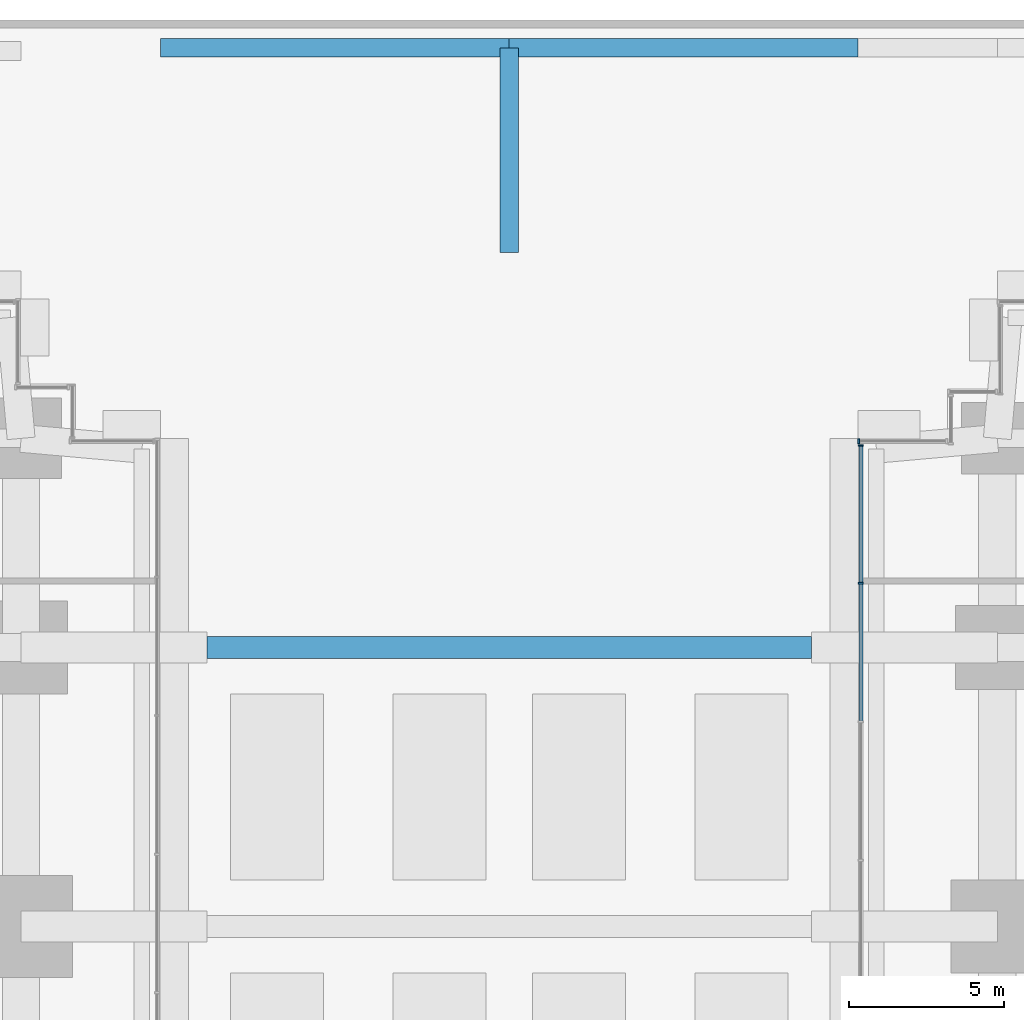
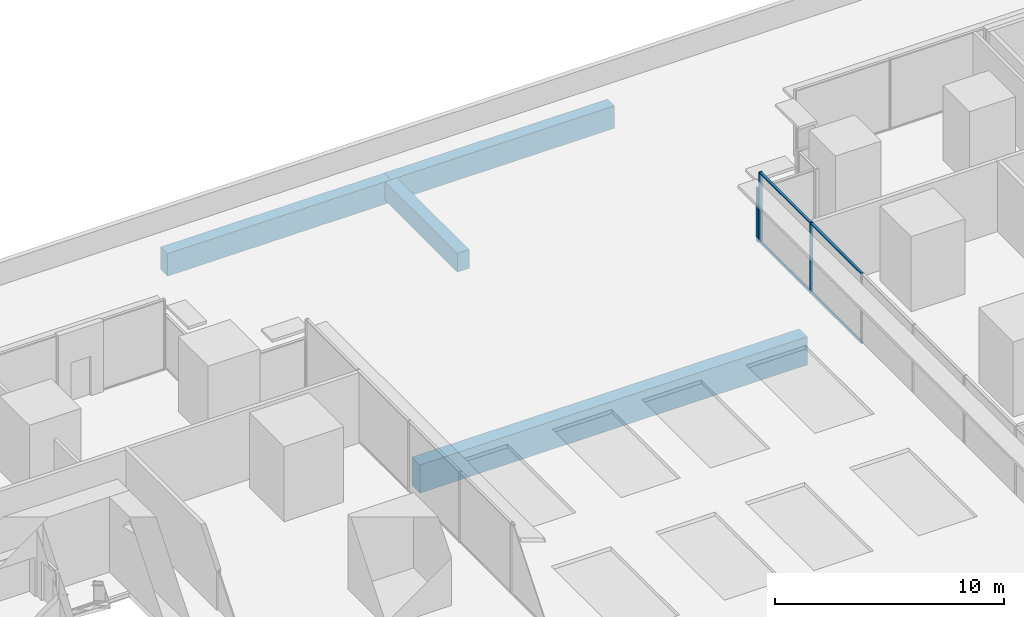
# One storey, part 12 of 34: 7 members, 4 beams, 2 elements without a shape of their own.
"""IFC4 building model written with IfcOpenShell, lengths in metres."""

from ifc_helpers import new_model, si_unit, direction, frame, origin, origin_2d, place, context, subcontext, project, spatial, rectangle, extrude, material, layer, layer_set, material_profile, profile_set, type_object, element, aggregate, save


model = new_model("IFC4")

# Units and contexts
model_context = context("Model", 3, precision=1e-05, world=origin(), true_north=direction((0.0, 1.0)))
body_context = subcontext(model_context, "Body", "Model", "MODEL_VIEW")
ifc_project = project(units=[si_unit("LENGTHUNIT", "METRE"), si_unit("AREAUNIT", "SQUARE_METRE"), si_unit("VOLUMEUNIT", "CUBIC_METRE"), si_unit("PLANEANGLEUNIT", "RADIAN"), si_unit("MASSUNIT", "GRAM", prefix="KILO")], contexts=[model_context])

# Site, building, storey
site_placement = place(None, origin())
site = spatial("IfcSite", under=ifc_project, at=site_placement, CompositionType="ELEMENT")
building_placement = place(site_placement, origin())
building = spatial("IfcBuilding", under=site, at=building_placement, Name="Namib Vertical Campus", CompositionType="ELEMENT")
storey_placement = place(building_placement, frame((0.0, 0.0, 21.0)))
storey = spatial("IfcBuildingStorey", under=building, at=storey_placement, Name="L04", CompositionType="ELEMENT", Elevation=21.0)

# Beam
ifc_material_1 = material(Name="Concrete C40/50", Category="concrete")
ifc_material_profile_1 = material_profile(ifc_material_1, rectangle(XDim=0.699951171875, YDim=1.5, at=origin_2d()))
ifc_profile_set_1 = profile_set([ifc_material_profile_1], Name="Concrete C40/50")
beam_type_1 = type_object("IfcBeamType", Name="Atrium roof girder RC 700x1500", PredefinedType="BEAM", material=ifc_profile_set_1)
beam_1_placement = place(storey_placement, frame((42.0, 29.25, -1.050048828125), z_axis=(1.0, 0.0, 0.0), x_axis=(0.0, 1.0, 0.0)))
element("IfcBeam", 1, at=beam_1_placement, inside=storey, type_object=beam_type_1, Name="Beam PB2 L04", PredefinedType="BEAM", context=body_context, shape_type="SweptSolid", body=[
    extrude(rectangle(XDim=0.699951171875, YDim=1.5, at=origin_2d()), origin(), (0.0, 0.0, 1.0), 19.5),
])

# Curtain wall, member
ifc_material_2 = material(Name="Black aluminium curtain wall", Category="aluminium")
ifc_layer = layer(ifc_material_2, 0.199951171875)
ifc_layer_set = layer_set([ifc_layer], Name="Lounge curtain wall CW-L4")
curtain_wall_type = type_object("IfcCurtainWallType", Name="Lounge curtain wall CW-L4", PredefinedType="USERDEFINED", material=ifc_layer_set)
curtain_wall_1_placement = place(storey_placement, origin())
curtain_wall_1 = element("IfcCurtainWall", 2, at=curtain_wall_1_placement, inside=storey, type_object=curtain_wall_type, Name="Curtain wall CW-L4 L04 F15-1", ObjectType="CURTAIN WALL", PredefinedType="USERDEFINED")
ifc_material_3 = material(Name="Black anodised aluminium", Category="aluminium")
ifc_material_profile_2 = material_profile(ifc_material_3, rectangle(XDim=0.06005859375, YDim=0.159912109375, at=origin_2d()))
ifc_profile_set_2 = profile_set([ifc_material_profile_2], Name="Black anodised aluminium")
member_type_1 = type_object("IfcMemberType", Name="Curtain wall mullion 60x160", PredefinedType="MULLION", material=ifc_profile_set_2)
member_1_placement = place(storey_placement, frame((63.030029296875, 35.89990234375, 0.0), z_axis=(0.0, 0.0, 1.0), x_axis=(-1.0, 0.0, 0.0)))
member_1 = element("IfcMember", 3, at=member_1_placement, type_object=member_type_1, Name="CW-L4 mullion 2", PredefinedType="MULLION", context=body_context, shape_type="SweptSolid", body=[
    extrude(rectangle(XDim=0.06005859375, YDim=0.159912109375, at=origin_2d()), origin(), (0.0, 0.0, 1.0), 2.85009765625),
])
aggregate(curtain_wall_1, [member_1])

# Curtain wall, members
curtain_wall_2_placement = place(storey_placement, origin())
curtain_wall_2 = element("IfcCurtainWall", 4, at=curtain_wall_2_placement, inside=storey, type_object=curtain_wall_type, Name="Curtain wall CW-L4 L04 F16-1", ObjectType="CURTAIN WALL", PredefinedType="USERDEFINED")
member_2_placement = place(storey_placement, frame((63.10009765625, 35.77001953125, 0.0), z_axis=(0.0, 0.0, 1.0), x_axis=(0.0, -1.0, 0.0)))
member_2 = element("IfcMember", 5, at=member_2_placement, type_object=member_type_1, Name="CW-L4 mullion 1", PredefinedType="MULLION", context=body_context, shape_type="SweptSolid", body=[
    extrude(rectangle(XDim=0.06005859375, YDim=0.159912109375, at=origin_2d()), origin(), (0.0, 0.0, 1.0), 3.75),
])
member_3_placement = place(storey_placement, frame((63.10009765625, 31.32861328125, 0.0), z_axis=(0.0, 0.0, 1.0), x_axis=(0.0, -1.0, 0.0)))
member_3 = element("IfcMember", 6, at=member_3_placement, type_object=member_type_1, Name="CW-L4 mullion 2", PredefinedType="MULLION", context=body_context, shape_type="SweptSolid", body=[
    extrude(rectangle(XDim=0.06005859375, YDim=0.159912109375, at=origin_2d()), origin(), (0.0, 0.0, 1.0), 3.75),
])
ifc_material_4 = material(Name="Black anodised aluminium", Category="aluminium")
ifc_material_profile_3 = material_profile(ifc_material_4, rectangle(XDim=0.06005859375, YDim=0.1201171875, at=origin_2d()))
ifc_profile_set_3 = profile_set([ifc_material_profile_3], Name="Black anodised aluminium")
member_type_2 = type_object("IfcMemberType", Name="Curtain wall transom 60x120", PredefinedType="USERDEFINED", material=ifc_profile_set_3)
member_4_placement = place(storey_placement, frame((63.10009765625, 35.739990234375, 0.030029296875), z_axis=(0.0, -1.0, 0.0), x_axis=(0.0, 0.0, 1.0)))
member_4 = element("IfcMember", 7, at=member_4_placement, type_object=member_type_2, Name="CW-L4 transom 1.1", ObjectType="TRANSOM", PredefinedType="USERDEFINED", context=body_context, shape_type="SweptSolid", body=[
    extrude(rectangle(XDim=0.06005859375, YDim=0.1201171875, at=origin_2d()), origin(), (0.0, 0.0, 1.0), 4.38134765625),
])
member_5_placement = place(storey_placement, frame((63.10009765625, 35.739990234375, 3.719970703125), z_axis=(0.0, -1.0, 0.0), x_axis=(0.0, 0.0, 1.0)))
member_5 = element("IfcMember", 8, at=member_5_placement, type_object=member_type_2, Name="CW-L4 transom 1.2", ObjectType="TRANSOM", PredefinedType="USERDEFINED", context=body_context, shape_type="SweptSolid", body=[
    extrude(rectangle(XDim=0.06005859375, YDim=0.1201171875, at=origin_2d()), origin(), (0.0, 0.0, 1.0), 4.38134765625),
])
member_6_placement = place(storey_placement, frame((63.10009765625, 31.298583984375, 0.030029296875), z_axis=(0.0, -1.0, 0.0), x_axis=(0.0, 0.0, 1.0)))
member_6 = element("IfcMember", 9, at=member_6_placement, type_object=member_type_2, Name="CW-L4 transom 2.1", ObjectType="TRANSOM", PredefinedType="USERDEFINED", context=body_context, shape_type="SweptSolid", body=[
    extrude(rectangle(XDim=0.06005859375, YDim=0.1201171875, at=origin_2d()), origin(), (0.0, 0.0, 1.0), 4.411376953125),
])
member_7_placement = place(storey_placement, frame((63.10009765625, 31.298583984375, 3.719970703125), z_axis=(0.0, -1.0, 0.0), x_axis=(0.0, 0.0, 1.0)))
member_7 = element("IfcMember", 10, at=member_7_placement, type_object=member_type_2, Name="CW-L4 transom 2.2", ObjectType="TRANSOM", PredefinedType="USERDEFINED", context=body_context, shape_type="SweptSolid", body=[
    extrude(rectangle(XDim=0.06005859375, YDim=0.1201171875, at=origin_2d()), origin(), (0.0, 0.0, 1.0), 4.411376953125),
])
aggregate(curtain_wall_2, [member_2, member_3, member_4, member_5, member_6, member_7])

# Beams
ifc_material_5 = material(Name="Concrete C40/50", Category="concrete")
ifc_material_profile_4 = material_profile(ifc_material_5, rectangle(XDim=0.60009765625, YDim=1.199951171875, at=origin_2d()))
ifc_profile_set_4 = profile_set([ifc_material_profile_4], Name="Concrete C40/50")
beam_type_2 = type_object("IfcBeamType", Name="Long-span podium beam RC 600x1200", PredefinedType="BEAM", material=ifc_profile_set_4)
for number, where, z_axis, x_axis, name in (
    (11, (40.5, 48.60009765625, -0.89990234375), (1.0, 0.0, 0.0), (0.0, 1.0, 0.0), "Beam PB4 L04"),
    (12, (51.75, 48.60009765625, -0.89990234375), (1.0, 0.0, 0.0), (0.0, 1.0, 0.0), "Beam PB4 L04"),
):
    element("IfcBeam", number, at=place(storey_placement, frame(where, z_axis=z_axis, x_axis=x_axis)), inside=storey, type_object=beam_type_2, Name=name, PredefinedType="BEAM", context=body_context, shape_type="SweptSolid", body=[
        extrude(rectangle(XDim=0.60009765625, YDim=1.199951171875, at=origin_2d()), origin(), (0.0, 0.0, 1.0), 11.25),
    ])
ifc_material_6 = material(Name="Concrete C40/50", Category="concrete")
ifc_material_profile_5 = material_profile(ifc_material_6, rectangle(XDim=0.60009765625, YDim=1.0, at=origin_2d()))
ifc_profile_set_5 = profile_set([ifc_material_profile_5], Name="Concrete C40/50")
beam_type_3 = type_object("IfcBeamType", Name="Podium beam RC 600x1000", PredefinedType="BEAM", material=ifc_profile_set_5)
beam_2_placement = place(storey_placement, frame((51.75, 42.0, -0.800048828125), z_axis=(0.0, 1.0, 0.0), x_axis=(-1.0, 0.0, 0.0)))
element("IfcBeam", 13, at=beam_2_placement, inside=storey, type_object=beam_type_3, Name="Beam PB1 L04", PredefinedType="BEAM", context=body_context, shape_type="SweptSolid", body=[
    extrude(rectangle(XDim=0.60009765625, YDim=1.0, at=origin_2d()), origin(), (0.0, 0.0, 1.0), 6.60009765625),
])

save(model, "model.ifc")
